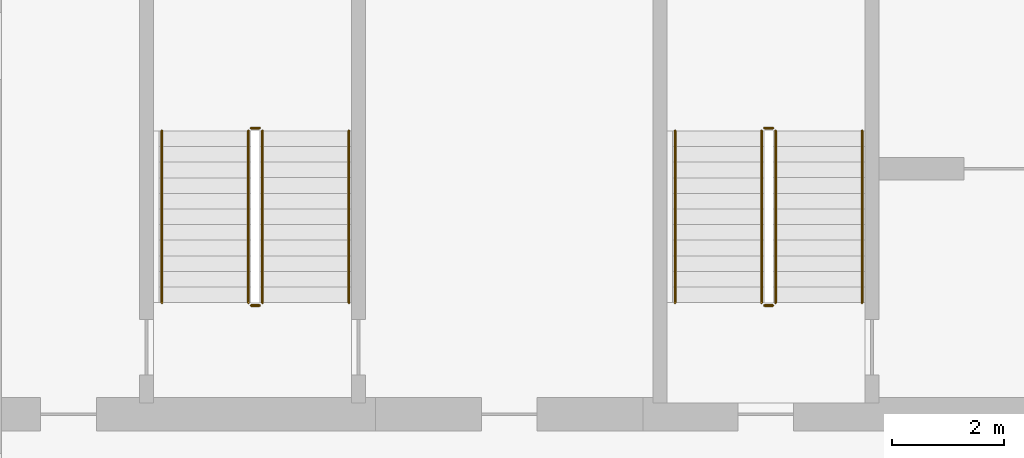
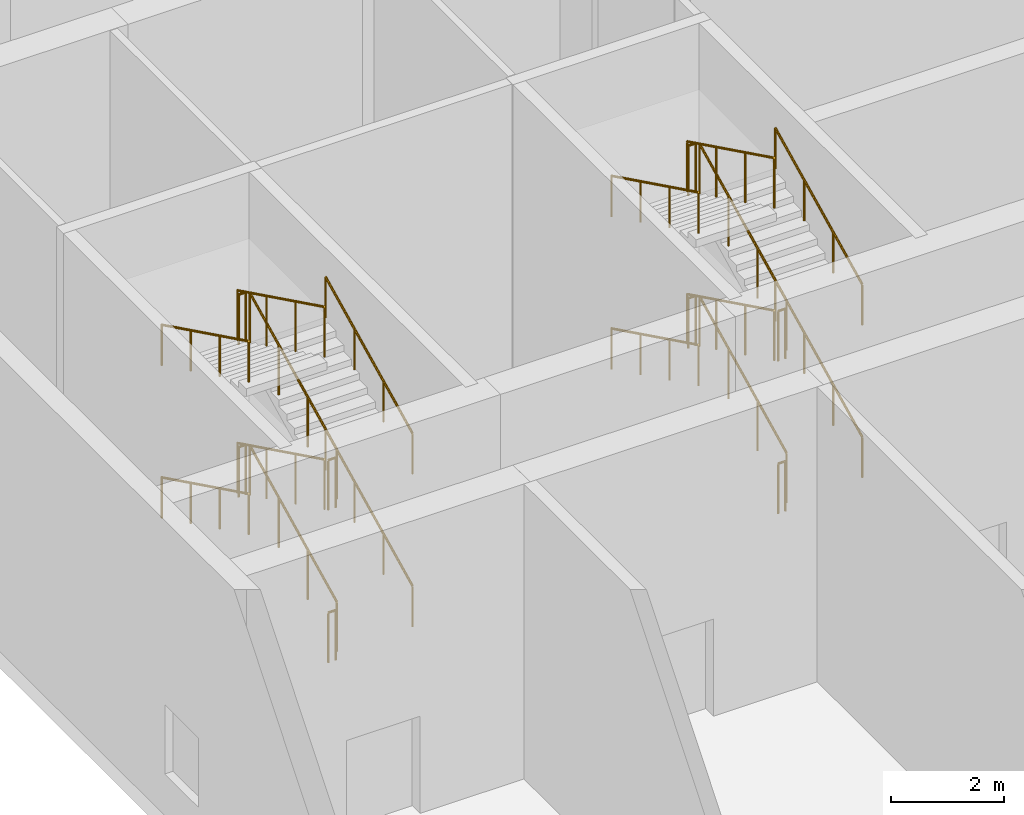
# One storey, part 12 of 13: 24 railings.
"""IFC4 building model written with IfcOpenShell, lengths in metres."""

from ifc_helpers import new_model, si_unit, direction, frame, origin, origin_2d, place, context, subcontext, project, spatial, circle, extrude, material, type_object, element, save


model = new_model("IFC4")

# Units and contexts
model_context = context("Model", 3, precision=1e-05, world=origin(), true_north=direction((0.0, 1.0)))
body_context = subcontext(model_context, "Body", "Model", "MODEL_VIEW")
ifc_project = project(units=[si_unit("LENGTHUNIT", "METRE"), si_unit("AREAUNIT", "SQUARE_METRE"), si_unit("VOLUMEUNIT", "CUBIC_METRE"), si_unit("PLANEANGLEUNIT", "RADIAN"), si_unit("MASSUNIT", "GRAM", prefix="KILO")], contexts=[model_context])

# Site, building, storey
site_placement = place(None, origin())
site = spatial("IfcSite", under=ifc_project, at=site_placement, CompositionType="ELEMENT")
building_placement = place(site_placement, origin())
building = spatial("IfcBuilding", under=site, at=building_placement, Name="Poui Terraces", CompositionType="ELEMENT")
storey_placement = place(building_placement, frame((0.0, 0.0, 214.800048828125)))
storey = spatial("IfcBuildingStorey", under=building, at=storey_placement, Name="L60", CompositionType="ELEMENT", Elevation=214.800048828125)

# Railings
ifc_material_1 = material(Name="Galvanised steel balustrade", Category="steel")
railing_type_1 = type_object("IfcRailingType", Name="STAIR GUARD 1100", PredefinedType="GUARDRAIL", material=ifc_material_1)
railing_1_placement = place(storey_placement, frame((32.074951171875, 16.60009765625, 0.137451171875)))
element("IfcRailing", 1, at=railing_1_placement, inside=storey, type_object=railing_type_1, Name="L60 ST-CW stair guard 1", PredefinedType="GUARDRAIL", context=body_context, shape_type="SweptSolid", body=[
    extrude(circle(Radius=0.02392578125, at=origin_2d()), frame((0.0, 0.0, 1.076171875), z_axis=(0.0, 0.897606190399, 0.440798283751), x_axis=(-1.0, 0.0, 0.0)), (0.0, 0.0, 1.0), 3.43115234375),
    extrude(circle(Radius=0.02099609375, at=origin_2d()), origin(), (0.0, 0.0, 1.0), 1.052001953125),
    extrude(circle(Radius=0.02099609375, at=origin_2d()), frame((0.0, 1.026611328125, 0.504150390625)), (0.0, 0.0, 1.0), 1.052001953125),
    extrude(circle(Radius=0.02099609375, at=origin_2d()), frame((0.0, 2.05322265625, 1.00830078125)), (0.0, 0.0, 1.0), 1.052001953125),
    extrude(circle(Radius=0.02099609375, at=origin_2d()), frame((0.0, 3.079833984375, 1.512451171875)), (0.0, 0.0, 1.0), 1.052001953125),
])
railing_2_placement = place(storey_placement, frame((32.02490234375, 19.72998046875, 1.64990234375)))
element("IfcRailing", 2, at=railing_2_placement, inside=storey, type_object=railing_type_1, Name="L60 ST-CW stair guard 2", PredefinedType="GUARDRAIL", context=body_context, shape_type="SweptSolid", body=[
    extrude(circle(Radius=0.02392578125, at=origin_2d()), frame((0.0, 0.0, 1.076171875), z_axis=(-1.0, 0.0, 0.0), x_axis=(0.0, -1.0, 0.0)), (0.0, 0.0, 1.0), 0.14990234375),
    extrude(circle(Radius=0.02099609375, at=origin_2d()), origin(), (0.0, 0.0, 1.0), 1.052001953125),
    extrude(circle(Radius=0.02099609375, at=origin_2d()), frame((-0.14990234375, 0.0, 0.0)), (0.0, 0.0, 1.0), 1.052001953125),
])
railing_3_placement = place(storey_placement, frame((31.824951171875, 19.679931640625, 1.787353515625)))
element("IfcRailing", 3, at=railing_3_placement, inside=storey, type_object=railing_type_1, Name="L60 ST-CW stair guard 3", PredefinedType="GUARDRAIL", context=body_context, shape_type="SweptSolid", body=[
    extrude(circle(Radius=0.02392578125, at=origin_2d()), frame((0.0, 0.0, 1.076171875), z_axis=(0.0, -0.897578036475, 0.440855609512), x_axis=(1.0, 0.0, 0.0)), (0.0, 0.0, 1.0), 3.43115234375),
    extrude(circle(Radius=0.02099609375, at=origin_2d()), origin(), (0.0, 0.0, 1.0), 1.052001953125),
    extrude(circle(Radius=0.02099609375, at=origin_2d()), frame((0.0, -1.026611328125, 0.504150390625)), (0.0, 0.0, 1.0), 1.052001953125),
    extrude(circle(Radius=0.02099609375, at=origin_2d()), frame((0.0, -2.05322265625, 1.008544921875)), (0.0, 0.0, 1.0), 1.052001953125),
    extrude(circle(Radius=0.02099609375, at=origin_2d()), frame((0.0, -3.079833984375, 1.5126953125)), (0.0, 0.0, 1.0), 1.052001953125),
])
railing_4_placement = place(storey_placement, frame((32.02490234375, 16.550048828125, 3.300048828125)))
element("IfcRailing", 4, at=railing_4_placement, inside=storey, type_object=railing_type_1, Name="L60 ST-CW stair guard 4", PredefinedType="GUARDRAIL", context=body_context, shape_type="SweptSolid", body=[
    extrude(circle(Radius=0.02392578125, at=origin_2d()), frame((0.0, 0.0, 1.076171875), z_axis=(-1.0, 0.0, 0.0), x_axis=(0.0, -1.0, 0.0)), (0.0, 0.0, 1.0), 0.14990234375),
    extrude(circle(Radius=0.02099609375, at=origin_2d()), origin(), (0.0, 0.0, 1.0), 1.052001953125),
    extrude(circle(Radius=0.02099609375, at=origin_2d()), frame((-0.14990234375, 0.0, 0.0)), (0.0, 0.0, 1.0), 1.052001953125),
])
railing_5_placement = place(storey_placement, frame((32.074951171875, 16.60009765625, 3.4375)))
element("IfcRailing", 5, at=railing_5_placement, inside=storey, type_object=railing_type_1, Name="L60 ST-CW stair guard 5", PredefinedType="GUARDRAIL", context=body_context, shape_type="SweptSolid", body=[
    extrude(circle(Radius=0.02392578125, at=origin_2d()), frame((0.0, 0.0, 1.076171875), z_axis=(0.0, 0.897606190399, 0.440798283751), x_axis=(-1.0, 0.0, 0.0)), (0.0, 0.0, 1.0), 3.43115234375),
    extrude(circle(Radius=0.02099609375, at=origin_2d()), origin(), (0.0, 0.0, 1.0), 1.052001953125),
    extrude(circle(Radius=0.02099609375, at=origin_2d()), frame((0.0, 1.026611328125, 0.504150390625)), (0.0, 0.0, 1.0), 1.052001953125),
    extrude(circle(Radius=0.02099609375, at=origin_2d()), frame((0.0, 2.05322265625, 1.00830078125)), (0.0, 0.0, 1.0), 1.052001953125),
    extrude(circle(Radius=0.02099609375, at=origin_2d()), frame((0.0, 3.079833984375, 1.512451171875)), (0.0, 0.0, 1.0), 1.052001953125),
])
railing_6_placement = place(storey_placement, frame((32.02490234375, 19.72998046875, 4.949951171875)))
element("IfcRailing", 6, at=railing_6_placement, inside=storey, type_object=railing_type_1, Name="L60 ST-CW stair guard 6", PredefinedType="GUARDRAIL", context=body_context, shape_type="SweptSolid", body=[
    extrude(circle(Radius=0.02392578125, at=origin_2d()), frame((0.0, 0.0, 1.076171875), z_axis=(-1.0, 0.0, 0.0), x_axis=(0.0, -1.0, 0.0)), (0.0, 0.0, 1.0), 0.14990234375),
    extrude(circle(Radius=0.02099609375, at=origin_2d()), origin(), (0.0, 0.0, 1.0), 1.052001953125),
    extrude(circle(Radius=0.02099609375, at=origin_2d()), frame((-0.14990234375, 0.0, 0.0)), (0.0, 0.0, 1.0), 1.052001953125),
])
railing_7_placement = place(storey_placement, frame((31.824951171875, 19.679931640625, 5.08740234375)))
element("IfcRailing", 7, at=railing_7_placement, inside=storey, type_object=railing_type_1, Name="L60 ST-CW stair guard 7", PredefinedType="GUARDRAIL", context=body_context, shape_type="SweptSolid", body=[
    extrude(circle(Radius=0.02392578125, at=origin_2d()), frame((0.0, 0.0, 1.076171875), z_axis=(0.0, -0.897606190399, 0.440798283751), x_axis=(1.0, 0.0, 0.0)), (0.0, 0.0, 1.0), 3.43115234375),
    extrude(circle(Radius=0.02099609375, at=origin_2d()), origin(), (0.0, 0.0, 1.0), 1.052001953125),
    extrude(circle(Radius=0.02099609375, at=origin_2d()), frame((0.0, -1.026611328125, 0.504150390625)), (0.0, 0.0, 1.0), 1.052001953125),
    extrude(circle(Radius=0.02099609375, at=origin_2d()), frame((0.0, -2.05322265625, 1.00830078125)), (0.0, 0.0, 1.0), 1.052001953125),
    extrude(circle(Radius=0.02099609375, at=origin_2d()), frame((0.0, -3.079833984375, 1.512451171875)), (0.0, 0.0, 1.0), 1.052001953125),
])
railing_8_placement = place(storey_placement, frame((32.02490234375, 16.550048828125, 0.0)))
element("IfcRailing", 8, at=railing_8_placement, inside=storey, type_object=railing_type_1, Name="L60 ST-CW stair guard 8", PredefinedType="GUARDRAIL", context=body_context, shape_type="SweptSolid", body=[
    extrude(circle(Radius=0.02392578125, at=origin_2d()), frame((0.0, 0.0, 1.076171875), z_axis=(-1.0, 0.0, 0.0), x_axis=(0.0, -1.0, 0.0)), (0.0, 0.0, 1.0), 0.14990234375),
    extrude(circle(Radius=0.02099609375, at=origin_2d()), origin(), (0.0, 0.0, 1.0), 1.052001953125),
    extrude(circle(Radius=0.02099609375, at=origin_2d()), frame((-0.14990234375, 0.0, 0.0)), (0.0, 0.0, 1.0), 1.052001953125),
])
railing_9_placement = place(storey_placement, frame((22.875, 16.60009765625, 0.137451171875)))
element("IfcRailing", 9, at=railing_9_placement, inside=storey, type_object=railing_type_1, Name="L60 ST-W stair guard 1", PredefinedType="GUARDRAIL", context=body_context, shape_type="SweptSolid", body=[
    extrude(circle(Radius=0.02392578125, at=origin_2d()), frame((0.0, 0.0, 1.076171875), z_axis=(0.0, 0.897606190399, 0.440798283751), x_axis=(-1.0, 0.0, 0.0)), (0.0, 0.0, 1.0), 3.43115234375),
    extrude(circle(Radius=0.02099609375, at=origin_2d()), origin(), (0.0, 0.0, 1.0), 1.052001953125),
    extrude(circle(Radius=0.02099609375, at=origin_2d()), frame((0.0, 1.026611328125, 0.504150390625)), (0.0, 0.0, 1.0), 1.052001953125),
    extrude(circle(Radius=0.02099609375, at=origin_2d()), frame((0.0, 2.05322265625, 1.00830078125)), (0.0, 0.0, 1.0), 1.052001953125),
    extrude(circle(Radius=0.02099609375, at=origin_2d()), frame((0.0, 3.079833984375, 1.512451171875)), (0.0, 0.0, 1.0), 1.052001953125),
])
railing_10_placement = place(storey_placement, frame((22.824951171875, 19.72998046875, 1.64990234375)))
element("IfcRailing", 10, at=railing_10_placement, inside=storey, type_object=railing_type_1, Name="L60 ST-W stair guard 2", PredefinedType="GUARDRAIL", context=body_context, shape_type="SweptSolid", body=[
    extrude(circle(Radius=0.02392578125, at=origin_2d()), frame((0.0, 0.0, 1.076171875), z_axis=(-1.0, 0.0, 0.0), x_axis=(0.0, -1.0, 0.0)), (0.0, 0.0, 1.0), 0.14990234375),
    extrude(circle(Radius=0.02099609375, at=origin_2d()), origin(), (0.0, 0.0, 1.0), 1.052001953125),
    extrude(circle(Radius=0.02099609375, at=origin_2d()), frame((-0.14990234375, 0.0, 0.0)), (0.0, 0.0, 1.0), 1.052001953125),
])
railing_11_placement = place(storey_placement, frame((22.625, 19.679931640625, 1.787353515625)))
element("IfcRailing", 11, at=railing_11_placement, inside=storey, type_object=railing_type_1, Name="L60 ST-W stair guard 3", PredefinedType="GUARDRAIL", context=body_context, shape_type="SweptSolid", body=[
    extrude(circle(Radius=0.02392578125, at=origin_2d()), frame((0.0, 0.0, 1.076171875), z_axis=(0.0, -0.897578036475, 0.440855609512), x_axis=(1.0, 0.0, 0.0)), (0.0, 0.0, 1.0), 3.43115234375),
    extrude(circle(Radius=0.02099609375, at=origin_2d()), origin(), (0.0, 0.0, 1.0), 1.052001953125),
    extrude(circle(Radius=0.02099609375, at=origin_2d()), frame((0.0, -1.026611328125, 0.504150390625)), (0.0, 0.0, 1.0), 1.052001953125),
    extrude(circle(Radius=0.02099609375, at=origin_2d()), frame((0.0, -2.05322265625, 1.008544921875)), (0.0, 0.0, 1.0), 1.052001953125),
    extrude(circle(Radius=0.02099609375, at=origin_2d()), frame((0.0, -3.079833984375, 1.5126953125)), (0.0, 0.0, 1.0), 1.052001953125),
])
railing_12_placement = place(storey_placement, frame((22.824951171875, 16.550048828125, 3.300048828125)))
element("IfcRailing", 12, at=railing_12_placement, inside=storey, type_object=railing_type_1, Name="L60 ST-W stair guard 4", PredefinedType="GUARDRAIL", context=body_context, shape_type="SweptSolid", body=[
    extrude(circle(Radius=0.02392578125, at=origin_2d()), frame((0.0, 0.0, 1.076171875), z_axis=(-1.0, 0.0, 0.0), x_axis=(0.0, -1.0, 0.0)), (0.0, 0.0, 1.0), 0.14990234375),
    extrude(circle(Radius=0.02099609375, at=origin_2d()), origin(), (0.0, 0.0, 1.0), 1.052001953125),
    extrude(circle(Radius=0.02099609375, at=origin_2d()), frame((-0.14990234375, 0.0, 0.0)), (0.0, 0.0, 1.0), 1.052001953125),
])
railing_13_placement = place(storey_placement, frame((22.875, 16.60009765625, 3.4375)))
element("IfcRailing", 13, at=railing_13_placement, inside=storey, type_object=railing_type_1, Name="L60 ST-W stair guard 5", PredefinedType="GUARDRAIL", context=body_context, shape_type="SweptSolid", body=[
    extrude(circle(Radius=0.02392578125, at=origin_2d()), frame((0.0, 0.0, 1.076171875), z_axis=(0.0, 0.897606190399, 0.440798283751), x_axis=(-1.0, 0.0, 0.0)), (0.0, 0.0, 1.0), 3.43115234375),
    extrude(circle(Radius=0.02099609375, at=origin_2d()), origin(), (0.0, 0.0, 1.0), 1.052001953125),
    extrude(circle(Radius=0.02099609375, at=origin_2d()), frame((0.0, 1.026611328125, 0.504150390625)), (0.0, 0.0, 1.0), 1.052001953125),
    extrude(circle(Radius=0.02099609375, at=origin_2d()), frame((0.0, 2.05322265625, 1.00830078125)), (0.0, 0.0, 1.0), 1.052001953125),
    extrude(circle(Radius=0.02099609375, at=origin_2d()), frame((0.0, 3.079833984375, 1.512451171875)), (0.0, 0.0, 1.0), 1.052001953125),
])
railing_14_placement = place(storey_placement, frame((22.824951171875, 19.72998046875, 4.949951171875)))
element("IfcRailing", 14, at=railing_14_placement, inside=storey, type_object=railing_type_1, Name="L60 ST-W stair guard 6", PredefinedType="GUARDRAIL", context=body_context, shape_type="SweptSolid", body=[
    extrude(circle(Radius=0.02392578125, at=origin_2d()), frame((0.0, 0.0, 1.076171875), z_axis=(-1.0, 0.0, 0.0), x_axis=(0.0, -1.0, 0.0)), (0.0, 0.0, 1.0), 0.14990234375),
    extrude(circle(Radius=0.02099609375, at=origin_2d()), origin(), (0.0, 0.0, 1.0), 1.052001953125),
    extrude(circle(Radius=0.02099609375, at=origin_2d()), frame((-0.14990234375, 0.0, 0.0)), (0.0, 0.0, 1.0), 1.052001953125),
])
railing_15_placement = place(storey_placement, frame((22.625, 19.679931640625, 5.08740234375)))
element("IfcRailing", 15, at=railing_15_placement, inside=storey, type_object=railing_type_1, Name="L60 ST-W stair guard 7", PredefinedType="GUARDRAIL", context=body_context, shape_type="SweptSolid", body=[
    extrude(circle(Radius=0.02392578125, at=origin_2d()), frame((0.0, 0.0, 1.076171875), z_axis=(0.0, -0.897606190399, 0.440798283751), x_axis=(1.0, 0.0, 0.0)), (0.0, 0.0, 1.0), 3.43115234375),
    extrude(circle(Radius=0.02099609375, at=origin_2d()), origin(), (0.0, 0.0, 1.0), 1.052001953125),
    extrude(circle(Radius=0.02099609375, at=origin_2d()), frame((0.0, -1.026611328125, 0.504150390625)), (0.0, 0.0, 1.0), 1.052001953125),
    extrude(circle(Radius=0.02099609375, at=origin_2d()), frame((0.0, -2.05322265625, 1.00830078125)), (0.0, 0.0, 1.0), 1.052001953125),
    extrude(circle(Radius=0.02099609375, at=origin_2d()), frame((0.0, -3.079833984375, 1.512451171875)), (0.0, 0.0, 1.0), 1.052001953125),
])
railing_16_placement = place(storey_placement, frame((22.824951171875, 16.550048828125, 0.0)))
element("IfcRailing", 16, at=railing_16_placement, inside=storey, type_object=railing_type_1, Name="L60 ST-W stair guard 8", PredefinedType="GUARDRAIL", context=body_context, shape_type="SweptSolid", body=[
    extrude(circle(Radius=0.02392578125, at=origin_2d()), frame((0.0, 0.0, 1.076171875), z_axis=(-1.0, 0.0, 0.0), x_axis=(0.0, -1.0, 0.0)), (0.0, 0.0, 1.0), 0.14990234375),
    extrude(circle(Radius=0.02099609375, at=origin_2d()), origin(), (0.0, 0.0, 1.0), 1.052001953125),
    extrude(circle(Radius=0.02099609375, at=origin_2d()), frame((-0.14990234375, 0.0, 0.0)), (0.0, 0.0, 1.0), 1.052001953125),
])
ifc_material_2 = material(Name="Stainless steel handrail", Category="steel")
railing_type_2 = type_object("IfcRailingType", Name="STAIR HANDRAIL 900", PredefinedType="HANDRAIL", material=ifc_material_2)
railing_17_placement = place(storey_placement, frame((33.625, 16.60009765625, 0.137451171875)))
element("IfcRailing", 17, at=railing_17_placement, inside=storey, type_object=railing_type_2, Name="L60 ST-CW stair handrail 1", PredefinedType="HANDRAIL", context=body_context, shape_type="SweptSolid", body=[
    extrude(circle(Radius=0.02392578125, at=origin_2d()), frame((0.0, 0.0, 0.8759765625), z_axis=(0.0, 0.897606190399, 0.440798283751), x_axis=(-1.0, 0.0, 0.0)), (0.0, 0.0, 1.0), 3.43115234375),
    extrude(circle(Radius=0.02099609375, at=origin_2d()), origin(), (0.0, 0.0, 1.0), 0.851806640625),
    extrude(circle(Radius=0.02099609375, at=origin_2d()), frame((0.0, 1.026611328125, 0.504150390625)), (0.0, 0.0, 1.0), 0.851806640625),
    extrude(circle(Radius=0.02099609375, at=origin_2d()), frame((0.0, 2.05322265625, 1.00830078125)), (0.0, 0.0, 1.0), 0.851806640625),
    extrude(circle(Radius=0.02099609375, at=origin_2d()), frame((0.0, 3.079833984375, 1.512451171875)), (0.0, 0.0, 1.0), 0.851806640625),
])
railing_18_placement = place(storey_placement, frame((30.27490234375, 19.679931640625, 1.787353515625)))
element("IfcRailing", 18, at=railing_18_placement, inside=storey, type_object=railing_type_2, Name="L60 ST-CW stair handrail 2", PredefinedType="HANDRAIL", context=body_context, shape_type="SweptSolid", body=[
    extrude(circle(Radius=0.02392578125, at=origin_2d()), frame((0.0, 0.0, 0.8759765625), z_axis=(0.0, -0.897578036475, 0.440855609512), x_axis=(1.0, 0.0, 0.0)), (0.0, 0.0, 1.0), 3.43115234375),
    extrude(circle(Radius=0.02099609375, at=origin_2d()), origin(), (0.0, 0.0, 1.0), 0.851806640625),
    extrude(circle(Radius=0.02099609375, at=origin_2d()), frame((0.0, -1.026611328125, 0.504150390625)), (0.0, 0.0, 1.0), 0.851806640625),
    extrude(circle(Radius=0.02099609375, at=origin_2d()), frame((0.0, -2.05322265625, 1.008544921875)), (0.0, 0.0, 1.0), 0.851806640625),
    extrude(circle(Radius=0.02099609375, at=origin_2d()), frame((0.0, -3.079833984375, 1.5126953125)), (0.0, 0.0, 1.0), 0.851806640625),
])
railing_19_placement = place(storey_placement, frame((33.625, 16.60009765625, 3.4375)))
element("IfcRailing", 19, at=railing_19_placement, inside=storey, type_object=railing_type_2, Name="L60 ST-CW stair handrail 3", PredefinedType="HANDRAIL", context=body_context, shape_type="SweptSolid", body=[
    extrude(circle(Radius=0.02392578125, at=origin_2d()), frame((0.0, 0.0, 0.8759765625), z_axis=(0.0, 0.897606190399, 0.440798283751), x_axis=(-1.0, 0.0, 0.0)), (0.0, 0.0, 1.0), 3.43115234375),
    extrude(circle(Radius=0.02099609375, at=origin_2d()), origin(), (0.0, 0.0, 1.0), 0.851806640625),
    extrude(circle(Radius=0.02099609375, at=origin_2d()), frame((0.0, 1.026611328125, 0.504150390625)), (0.0, 0.0, 1.0), 0.851806640625),
    extrude(circle(Radius=0.02099609375, at=origin_2d()), frame((0.0, 2.05322265625, 1.00830078125)), (0.0, 0.0, 1.0), 0.851806640625),
    extrude(circle(Radius=0.02099609375, at=origin_2d()), frame((0.0, 3.079833984375, 1.512451171875)), (0.0, 0.0, 1.0), 0.851806640625),
])
railing_20_placement = place(storey_placement, frame((30.27490234375, 19.679931640625, 5.08740234375)))
element("IfcRailing", 20, at=railing_20_placement, inside=storey, type_object=railing_type_2, Name="L60 ST-CW stair handrail 4", PredefinedType="HANDRAIL", context=body_context, shape_type="SweptSolid", body=[
    extrude(circle(Radius=0.02392578125, at=origin_2d()), frame((0.0, 0.0, 0.8759765625), z_axis=(0.0, -0.897606190399, 0.440798283751), x_axis=(1.0, 0.0, 0.0)), (0.0, 0.0, 1.0), 3.43115234375),
    extrude(circle(Radius=0.02099609375, at=origin_2d()), origin(), (0.0, 0.0, 1.0), 0.851806640625),
    extrude(circle(Radius=0.02099609375, at=origin_2d()), frame((0.0, -1.026611328125, 0.504150390625)), (0.0, 0.0, 1.0), 0.851806640625),
    extrude(circle(Radius=0.02099609375, at=origin_2d()), frame((0.0, -2.05322265625, 1.00830078125)), (0.0, 0.0, 1.0), 0.851806640625),
    extrude(circle(Radius=0.02099609375, at=origin_2d()), frame((0.0, -3.079833984375, 1.512451171875)), (0.0, 0.0, 1.0), 0.851806640625),
])
railing_21_placement = place(storey_placement, frame((24.425048828125, 16.60009765625, 0.137451171875)))
element("IfcRailing", 21, at=railing_21_placement, inside=storey, type_object=railing_type_2, Name="L60 ST-W stair handrail 1", PredefinedType="HANDRAIL", context=body_context, shape_type="SweptSolid", body=[
    extrude(circle(Radius=0.02392578125, at=origin_2d()), frame((0.0, 0.0, 0.8759765625), z_axis=(0.0, 0.897606190399, 0.440798283751), x_axis=(-1.0, 0.0, 0.0)), (0.0, 0.0, 1.0), 3.43115234375),
    extrude(circle(Radius=0.02099609375, at=origin_2d()), origin(), (0.0, 0.0, 1.0), 0.851806640625),
    extrude(circle(Radius=0.02099609375, at=origin_2d()), frame((0.0, 1.026611328125, 0.504150390625)), (0.0, 0.0, 1.0), 0.851806640625),
    extrude(circle(Radius=0.02099609375, at=origin_2d()), frame((0.0, 2.05322265625, 1.00830078125)), (0.0, 0.0, 1.0), 0.851806640625),
    extrude(circle(Radius=0.02099609375, at=origin_2d()), frame((0.0, 3.079833984375, 1.512451171875)), (0.0, 0.0, 1.0), 0.851806640625),
])
railing_22_placement = place(storey_placement, frame((21.074951171875, 19.679931640625, 1.787353515625)))
element("IfcRailing", 22, at=railing_22_placement, inside=storey, type_object=railing_type_2, Name="L60 ST-W stair handrail 2", PredefinedType="HANDRAIL", context=body_context, shape_type="SweptSolid", body=[
    extrude(circle(Radius=0.02392578125, at=origin_2d()), frame((0.0, 0.0, 0.8759765625), z_axis=(0.0, -0.897578036475, 0.440855609512), x_axis=(1.0, 0.0, 0.0)), (0.0, 0.0, 1.0), 3.43115234375),
    extrude(circle(Radius=0.02099609375, at=origin_2d()), origin(), (0.0, 0.0, 1.0), 0.851806640625),
    extrude(circle(Radius=0.02099609375, at=origin_2d()), frame((0.0, -1.026611328125, 0.504150390625)), (0.0, 0.0, 1.0), 0.851806640625),
    extrude(circle(Radius=0.02099609375, at=origin_2d()), frame((0.0, -2.05322265625, 1.008544921875)), (0.0, 0.0, 1.0), 0.851806640625),
    extrude(circle(Radius=0.02099609375, at=origin_2d()), frame((0.0, -3.079833984375, 1.5126953125)), (0.0, 0.0, 1.0), 0.851806640625),
])
railing_23_placement = place(storey_placement, frame((24.425048828125, 16.60009765625, 3.4375)))
element("IfcRailing", 23, at=railing_23_placement, inside=storey, type_object=railing_type_2, Name="L60 ST-W stair handrail 3", PredefinedType="HANDRAIL", context=body_context, shape_type="SweptSolid", body=[
    extrude(circle(Radius=0.02392578125, at=origin_2d()), frame((0.0, 0.0, 0.8759765625), z_axis=(0.0, 0.897606190399, 0.440798283751), x_axis=(-1.0, 0.0, 0.0)), (0.0, 0.0, 1.0), 3.43115234375),
    extrude(circle(Radius=0.02099609375, at=origin_2d()), origin(), (0.0, 0.0, 1.0), 0.851806640625),
    extrude(circle(Radius=0.02099609375, at=origin_2d()), frame((0.0, 1.026611328125, 0.504150390625)), (0.0, 0.0, 1.0), 0.851806640625),
    extrude(circle(Radius=0.02099609375, at=origin_2d()), frame((0.0, 2.05322265625, 1.00830078125)), (0.0, 0.0, 1.0), 0.851806640625),
    extrude(circle(Radius=0.02099609375, at=origin_2d()), frame((0.0, 3.079833984375, 1.512451171875)), (0.0, 0.0, 1.0), 0.851806640625),
])
railing_24_placement = place(storey_placement, frame((21.074951171875, 19.679931640625, 5.08740234375)))
element("IfcRailing", 24, at=railing_24_placement, inside=storey, type_object=railing_type_2, Name="L60 ST-W stair handrail 4", PredefinedType="HANDRAIL", context=body_context, shape_type="SweptSolid", body=[
    extrude(circle(Radius=0.02392578125, at=origin_2d()), frame((0.0, 0.0, 0.8759765625), z_axis=(0.0, -0.897606190399, 0.440798283751), x_axis=(1.0, 0.0, 0.0)), (0.0, 0.0, 1.0), 3.43115234375),
    extrude(circle(Radius=0.02099609375, at=origin_2d()), origin(), (0.0, 0.0, 1.0), 0.851806640625),
    extrude(circle(Radius=0.02099609375, at=origin_2d()), frame((0.0, -1.026611328125, 0.504150390625)), (0.0, 0.0, 1.0), 0.851806640625),
    extrude(circle(Radius=0.02099609375, at=origin_2d()), frame((0.0, -2.05322265625, 1.00830078125)), (0.0, 0.0, 1.0), 0.851806640625),
    extrude(circle(Radius=0.02099609375, at=origin_2d()), frame((0.0, -3.079833984375, 1.512451171875)), (0.0, 0.0, 1.0), 0.851806640625),
])

save(model, "model.ifc")
